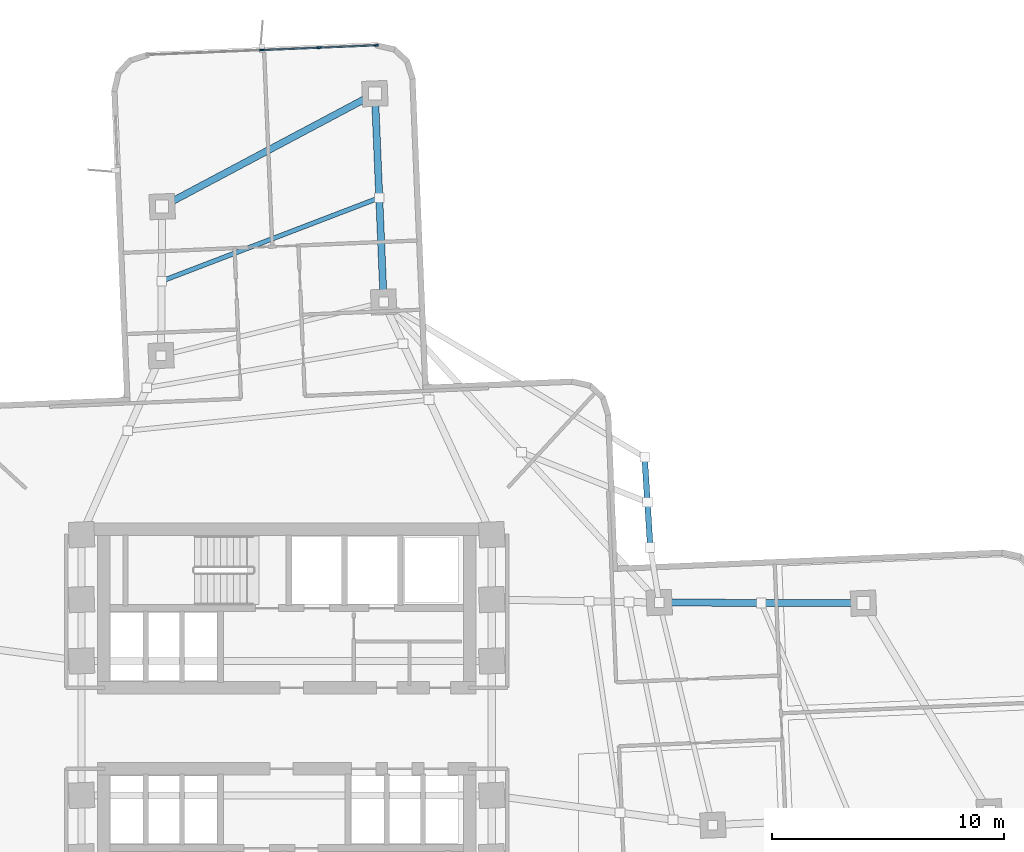
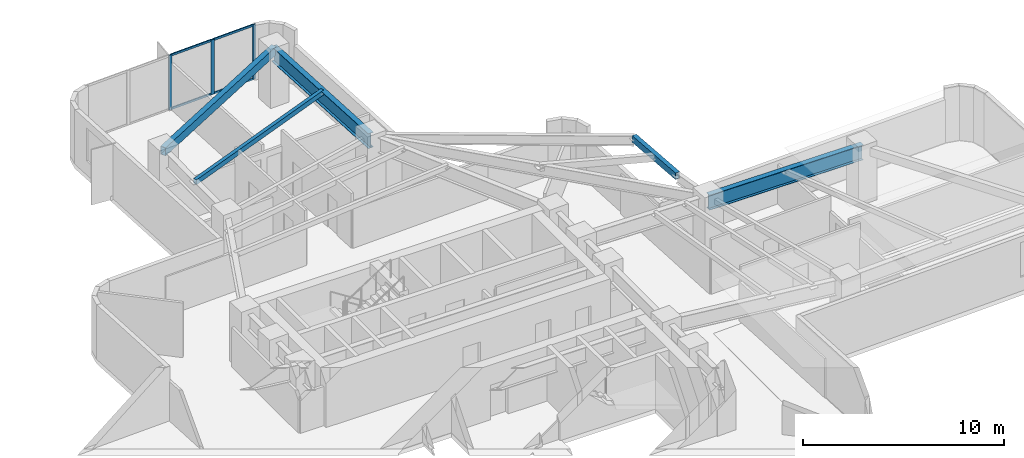
# One storey, part 6 of 15: 7 members, 5 beams, 1 element without a shape of its own.
"""IFC4 building model written with IfcOpenShell, lengths in metres."""

from ifc_helpers import new_model, si_unit, direction, frame, origin, origin_2d, place, context, subcontext, project, spatial, rectangle, hollow_rectangle, i_section, extrude, material, layer, layer_set, material_profile, profile_set, type_object, element, aggregate, save


model = new_model("IFC4")

# Units and contexts
model_context = context("Model", 3, precision=1e-05, world=origin(), true_north=direction((0.0, 1.0)))
body_context = subcontext(model_context, "Body", "Model", "MODEL_VIEW")
ifc_project = project(units=[si_unit("LENGTHUNIT", "METRE"), si_unit("AREAUNIT", "SQUARE_METRE"), si_unit("VOLUMEUNIT", "CUBIC_METRE"), si_unit("PLANEANGLEUNIT", "RADIAN"), si_unit("MASSUNIT", "GRAM", prefix="KILO")], contexts=[model_context])

# Site, building, storey
site_placement = place(None, origin())
site = spatial("IfcSite", under=ifc_project, at=site_placement, CompositionType="ELEMENT")
building_placement = place(site_placement, origin())
building = spatial("IfcBuilding", under=site, at=building_placement, Name="Solmarez Civic Tower", CompositionType="ELEMENT")
storey_placement = place(building_placement, frame((0.0, 0.0, 46.080078125)))
storey = spatial("IfcBuildingStorey", under=building, at=storey_placement, Name="L11", CompositionType="ELEMENT", Elevation=46.080078125)

# Beams
ifc_material_1 = material(Name="Steel S355", Category="steel")
ifc_material_profile_1 = material_profile(ifc_material_1, hollow_rectangle(XDim=0.199951171875, YDim=0.300048828125, WallThickness=0.011962890625, at=origin_2d()), Name="HSS300X200X12")
ifc_profile_set_1 = profile_set([ifc_material_profile_1], Name="Steel S355")
beam_type_1 = type_object("IfcBeamType", Name="BM-JS-HSS300X200", PredefinedType="JOIST", material=ifc_profile_set_1)
beam_1_placement = place(storey_placement, frame((3.9951171875, 22.886962890625, 3.169921875), z_axis=(-0.933878315551, -0.357590955903, 0.0), x_axis=(0.357590955903, -0.933878315551, 0.0)))
element("IfcBeam", 1, at=beam_1_placement, inside=storey, type_object=beam_type_1, Name="L11 Secondary Floor Joist JS-L11-NA-M2", PredefinedType="JOIST", context=body_context, shape_type="SweptSolid", body=[
    extrude(hollow_rectangle(XDim=0.199951171875, YDim=0.300048828125, WallThickness=0.011962890625, at=origin_2d()), origin(), (0.0, 0.0, 1.0), 10.05615234375),
])
ifc_material_profile_2 = material_profile(ifc_material_1, i_section(OverallWidth=0.303955078125, OverallDepth=0.910888671875, WebThickness=0.015869140625, FlangeThickness=0.02392578125, at=origin_2d()), Name="W36X150")
ifc_profile_set_2 = profile_set([ifc_material_profile_2], Name="Steel S355")
beam_type_2 = type_object("IfcBeamType", Name="BM-PR-W36X150", PredefinedType="BEAM", material=ifc_profile_set_2)
beam_2_placement = place(storey_placement, frame((16.075927734375, 5.4208984375, 2.864013671875), z_axis=(0.99999501223, -0.003158403928, 0.0), x_axis=(0.003158403928, 0.99999501223, 0.0)))
element("IfcBeam", 2, at=beam_2_placement, inside=storey, type_object=beam_type_2, Name="L11 Primary Floor Beam BM-L11-EA-R2B", PredefinedType="BEAM", context=body_context, shape_type="SweptSolid", body=[
    extrude(i_section(OverallWidth=0.303955078125, OverallDepth=0.910888671875, WebThickness=0.015869140625, FlangeThickness=0.02392578125, at=origin_2d()), origin(), (0.0, 0.0, 1.0), 8.81201171875),
])
beam_3_placement = place(storey_placement, frame((4.18408203125, 18.39111328125, 2.864013671875), z_axis=(-0.041911499832, 0.999121327058, 0.0), x_axis=(-0.999121327058, -0.041911499832, 0.0)))
element("IfcBeam", 3, at=beam_3_placement, inside=storey, type_object=beam_type_2, Name="L11 Primary Floor Beam BM-L11-NA-R2A", PredefinedType="BEAM", context=body_context, shape_type="SweptSolid", body=[
    extrude(i_section(OverallWidth=0.303955078125, OverallDepth=0.910888671875, WebThickness=0.015869140625, FlangeThickness=0.02392578125, at=origin_2d()), origin(), (0.0, 0.0, 1.0), 8.999755859375),
])
ifc_material_profile_3 = material_profile(ifc_material_1, hollow_rectangle(XDim=0.25, YDim=0.39990234375, WallThickness=0.01611328125, at=origin_2d()), Name="HSS400X250X16")
ifc_profile_set_3 = profile_set([ifc_material_profile_3], Name="Steel S355")
beam_type_3 = type_object("IfcBeamType", Name="BM-SP-HSS400X250", PredefinedType="SPANDREL", material=ifc_profile_set_3)
beam_4_placement = place(storey_placement, frame((15.69091796875, 7.801025390625, 3.119873046875), z_axis=(-0.062791415886, 0.998026672034, 0.0), x_axis=(-0.998026672034, -0.062791415886, 0.0)))
element("IfcBeam", 4, at=beam_4_placement, inside=storey, type_object=beam_type_3, Name="L11 Perimeter Spandrel Beam BM-L11-BALC-NEE", PredefinedType="SPANDREL", context=body_context, shape_type="SweptSolid", body=[
    extrude(hollow_rectangle(XDim=0.25, YDim=0.39990234375, WallThickness=0.01611328125, at=origin_2d()), origin(), (0.0, 0.0, 1.0), 3.89990234375),
])
ifc_material_profile_4 = material_profile(ifc_material_1, hollow_rectangle(XDim=0.300048828125, YDim=0.5, WallThickness=0.02001953125, at=origin_2d()), Name="HSS500X300X20")
ifc_profile_set_4 = profile_set([ifc_material_profile_4], Name="Steel S355")
beam_type_4 = type_object("IfcBeamType", Name="BM-SP-HSS500X300", PredefinedType="SPANDREL", material=ifc_profile_set_4)
beam_5_placement = place(storey_placement, frame((3.806884765625, 27.383056640625, 3.06982421875), z_axis=(-0.883129404808, -0.469129464394, 0.0), x_axis=(0.469129464394, -0.883129404808, 0.0)))
element("IfcBeam", 5, at=beam_5_placement, inside=storey, type_object=beam_type_4, Name="L11 Perimeter Spandrel Beam BM-L11-NA-T2", PredefinedType="SPANDREL", context=body_context, shape_type="SweptSolid", body=[
    extrude(hollow_rectangle(XDim=0.300048828125, YDim=0.5, WallThickness=0.02001953125, at=origin_2d()), origin(), (0.0, 0.0, 1.0), 10.3935546875),
])

# Curtain wall, members
ifc_material_2 = material(Name="Bronze Anodised Aluminium EN AW-6063 T6", Category="aluminium")
ifc_layer = layer(ifc_material_2, 0.18505859375)
ifc_layer_set = layer_set([ifc_layer], Name="Bronze Anodised Aluminium EN AW-6063 T6")
curtain_wall_type = type_object("IfcCurtainWallType", Name="CW-SYS-2", PredefinedType="NOTDEFINED", material=ifc_layer_set)
curtain_wall_placement = place(storey_placement, origin())
curtain_wall = element("IfcCurtainWall", 6, at=curtain_wall_placement, inside=storey, type_object=curtain_wall_type, Name="L11 Stick-Built Curtain Wall 2", PredefinedType="NOTDEFINED")
ifc_material_profile_5 = material_profile(ifc_material_2, rectangle(XDim=0.070068359375, YDim=0.179931640625, at=origin_2d()), Name="CWM-70X180")
ifc_profile_set_5 = profile_set([ifc_material_profile_5], Name="Bronze Anodised Aluminium EN AW-6063 T6")
member_type_1 = type_object("IfcMemberType", Name="CWM-TYPE-2", PredefinedType="MULLION", material=ifc_profile_set_5)
member_1_placement = place(storey_placement, frame((-1.06591796875, 29.260986328125, 0.0), z_axis=(0.0, 0.0, 1.0), x_axis=(-0.041856538832, 0.999123631067, 0.0)))
member_1 = element("IfcMember", 7, at=member_1_placement, type_object=member_type_1, Name="CWS2 mullion 3", PredefinedType="MULLION", context=body_context, shape_type="SweptSolid", body=[
    extrude(rectangle(XDim=0.070068359375, YDim=0.179931640625, at=origin_2d()), origin(), (0.0, 0.0, 1.0), 3.31982421875),
])
member_2_placement = place(storey_placement, frame((1.41650390625, 29.364990234375, 0.0), z_axis=(0.0, 0.0, 1.0), x_axis=(-0.041856538832, 0.999123631067, 0.0)))
member_2 = element("IfcMember", 8, at=member_2_placement, type_object=member_type_1, Name="CWS2 mullion 4", PredefinedType="MULLION", context=body_context, shape_type="SweptSolid", body=[
    extrude(rectangle(XDim=0.070068359375, YDim=0.179931640625, at=origin_2d()), origin(), (0.0, 0.0, 1.0), 3.31982421875),
])
member_3_placement = place(storey_placement, frame((3.864013671875, 29.467529296875, 0.0), z_axis=(0.0, 0.0, 1.0), x_axis=(-0.041856538832, 0.999123631067, 0.0)))
member_3 = element("IfcMember", 9, at=member_3_placement, type_object=member_type_1, Name="CWS2 mullion 5", PredefinedType="MULLION", context=body_context, shape_type="SweptSolid", body=[
    extrude(rectangle(XDim=0.070068359375, YDim=0.179931640625, at=origin_2d()), origin(), (0.0, 0.0, 1.0), 3.31982421875),
])
ifc_material_profile_6 = material_profile(ifc_material_2, rectangle(XDim=0.06494140625, YDim=0.125, at=origin_2d()), Name="CWT-65X125")
ifc_profile_set_6 = profile_set([ifc_material_profile_6], Name="Bronze Anodised Aluminium EN AW-6063 T6")
member_type_2 = type_object("IfcMemberType", Name="CWT-TYPE-2", PredefinedType="USERDEFINED", material=ifc_profile_set_6)
member_4_placement = place(storey_placement, frame((-1.031005859375, 29.262451171875, 0.032470703125), z_axis=(0.99912358508, 0.041857636533, 0.0), x_axis=(-0.041857636533, 0.99912358508, 0.0)))
member_4 = element("IfcMember", 10, at=member_4_placement, type_object=member_type_2, Name="CWS2 transom 3.1", ObjectType="TRANSOM", PredefinedType="USERDEFINED", context=body_context, shape_type="SweptSolid", body=[
    extrude(rectangle(XDim=0.06494140625, YDim=0.125, at=origin_2d()), origin(), (0.0, 0.0, 1.0), 2.414794921875),
])
member_5_placement = place(storey_placement, frame((-1.031005859375, 29.262451171875, 3.287353515625), z_axis=(0.99912358508, 0.041857636533, 0.0), x_axis=(-0.041857636533, 0.99912358508, 0.0)))
member_5 = element("IfcMember", 11, at=member_5_placement, type_object=member_type_2, Name="CWS2 transom 3.2", ObjectType="TRANSOM", PredefinedType="USERDEFINED", context=body_context, shape_type="SweptSolid", body=[
    extrude(rectangle(XDim=0.06494140625, YDim=0.125, at=origin_2d()), origin(), (0.0, 0.0, 1.0), 2.414794921875),
])
member_6_placement = place(storey_placement, frame((1.451416015625, 29.366455078125, 0.032470703125), z_axis=(0.999123624155, 0.041856703836, 0.0), x_axis=(-0.041856703836, 0.999123624155, 0.0)))
member_6 = element("IfcMember", 12, at=member_6_placement, type_object=member_type_2, Name="CWS2 transom 4.1", ObjectType="TRANSOM", PredefinedType="USERDEFINED", context=body_context, shape_type="SweptSolid", body=[
    extrude(rectangle(XDim=0.06494140625, YDim=0.125, at=origin_2d()), origin(), (0.0, 0.0, 1.0), 2.3798828125),
])
member_7_placement = place(storey_placement, frame((1.451416015625, 29.366455078125, 3.287353515625), z_axis=(0.999123624155, 0.041856703836, 0.0), x_axis=(-0.041856703836, 0.999123624155, 0.0)))
member_7 = element("IfcMember", 13, at=member_7_placement, type_object=member_type_2, Name="CWS2 transom 4.2", ObjectType="TRANSOM", PredefinedType="USERDEFINED", context=body_context, shape_type="SweptSolid", body=[
    extrude(rectangle(XDim=0.06494140625, YDim=0.125, at=origin_2d()), origin(), (0.0, 0.0, 1.0), 2.3798828125),
])
aggregate(curtain_wall, [member_1, member_2, member_3, member_4, member_5, member_6, member_7])

save(model, "model.ifc")
